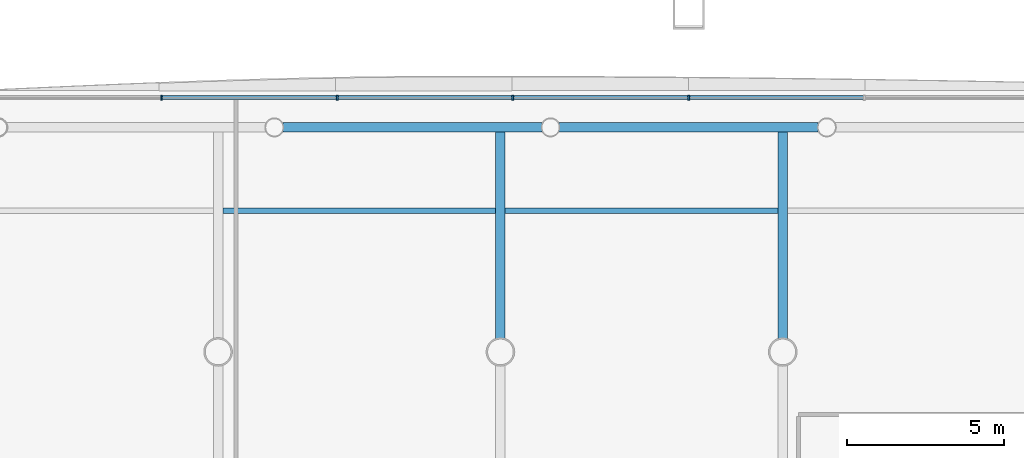
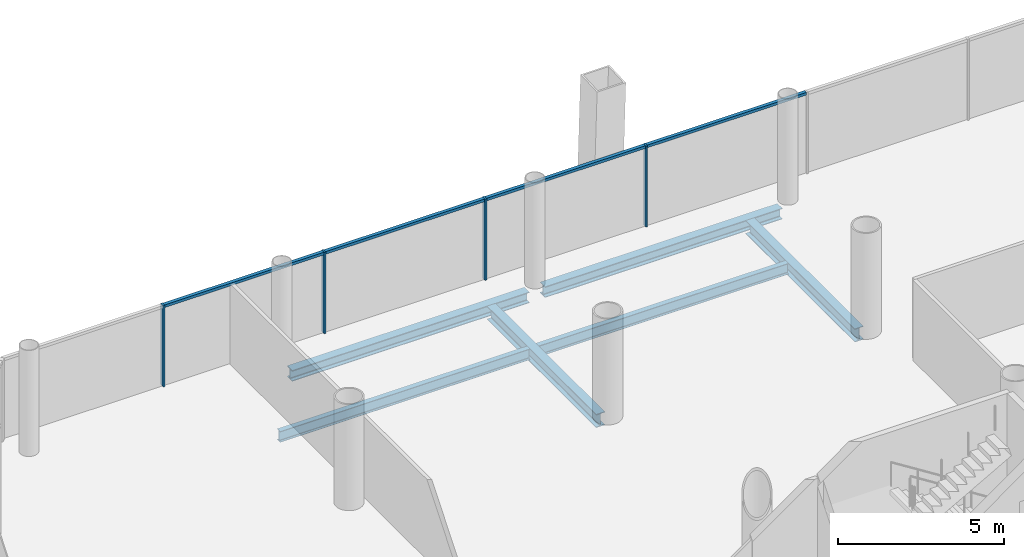
# One storey, part 9 of 20: 8 members, 6 beams, 1 element without a shape of its own.
"""IFC4 building model written with IfcOpenShell, lengths in metres."""

from ifc_helpers import new_model, si_unit, direction, frame, origin, origin_2d, place, context, subcontext, project, spatial, rectangle, i_section, extrude, material, material_profile, profile_set, type_object, element, aggregate, save


model = new_model("IFC4")

# Units and contexts
model_context = context("Model", 3, precision=1e-05, world=origin(), true_north=direction((0.0, 1.0)))
body_context = subcontext(model_context, "Body", "Model", "MODEL_VIEW")
ifc_project = project(units=[si_unit("LENGTHUNIT", "METRE"), si_unit("AREAUNIT", "SQUARE_METRE"), si_unit("VOLUMEUNIT", "CUBIC_METRE"), si_unit("PLANEANGLEUNIT", "RADIAN"), si_unit("MASSUNIT", "GRAM", prefix="KILO")], contexts=[model_context])

# Site, building, storey
site_placement = place(None, origin())
site = spatial("IfcSite", under=ifc_project, at=site_placement, CompositionType="ELEMENT")
building_placement = place(site_placement, origin())
building = spatial("IfcBuilding", under=site, at=building_placement, Name="Tskaro Facet Tower", CompositionType="ELEMENT")
storey_placement = place(building_placement, frame((0.0, 0.0, 53.699951171875)))
storey = spatial("IfcBuildingStorey", under=building, at=storey_placement, Name="L12", CompositionType="ELEMENT", Elevation=53.699951171875)

# Curtain wall, members
ifc_material_1 = material(Name="Bronze anodised aluminium 6063-T6", Category="aluminium")
curtain_wall_type = type_object("IfcCurtainWallType", Name="Bronze office curtain wall (FW1)", PredefinedType="NOTDEFINED", material=ifc_material_1)
curtain_wall_placement = place(storey_placement, origin())
curtain_wall = element("IfcCurtainWall", 1, at=curtain_wall_placement, inside=storey, type_object=curtain_wall_type, Name="FW1 north facet L12", PredefinedType="NOTDEFINED")
ifc_material_profile_1 = material_profile(ifc_material_1, rectangle(XDim=0.06005859375, YDim=0.159912109375, at=origin_2d()), Name="Mullion 60x160")
ifc_profile_set_1 = profile_set([ifc_material_profile_1], Name="Bronze anodised aluminium 6063-T6")
member_type_1 = type_object("IfcMemberType", Name="FW1 bronze mullion 60x160", PredefinedType="MULLION", material=ifc_profile_set_1)
member_1_placement = place(storey_placement, frame((-3.0, 26.10693359375, 0.0), z_axis=(0.0, 0.0, 1.0), x_axis=(-1.0, 0.0, 0.0)))
member_1 = element("IfcMember", 2, at=member_1_placement, type_object=member_type_1, Name="FW1 north mullion 4", PredefinedType="MULLION", context=body_context, shape_type="SweptSolid", body=[
    extrude(rectangle(XDim=0.06005859375, YDim=0.159912109375, at=origin_2d()), origin(), (0.0, 0.0, 1.0), 2.989990234375),
])
member_2_placement = place(storey_placement, frame((-8.601318359375, 26.10693359375, 0.0), z_axis=(0.0, 0.0, 1.0), x_axis=(-1.0, 0.0, 0.0)))
member_2 = element("IfcMember", 3, at=member_2_placement, type_object=member_type_1, Name="FW1 north mullion 5", PredefinedType="MULLION", context=body_context, shape_type="SweptSolid", body=[
    extrude(rectangle(XDim=0.06005859375, YDim=0.159912109375, at=origin_2d()), origin(), (0.0, 0.0, 1.0), 2.989990234375),
])
member_3_placement = place(storey_placement, frame((-14.202392578125, 26.10693359375, 0.0), z_axis=(0.0, 0.0, 1.0), x_axis=(-1.0, 0.0, 0.0)))
member_3 = element("IfcMember", 4, at=member_3_placement, type_object=member_type_1, Name="FW1 north mullion 6", PredefinedType="MULLION", context=body_context, shape_type="SweptSolid", body=[
    extrude(rectangle(XDim=0.06005859375, YDim=0.159912109375, at=origin_2d()), origin(), (0.0, 0.0, 1.0), 2.989990234375),
])
member_4_placement = place(storey_placement, frame((-19.8037109375, 26.10693359375, 0.0), z_axis=(0.0, 0.0, 1.0), x_axis=(-1.0, 0.0, 0.0)))
member_4 = element("IfcMember", 5, at=member_4_placement, type_object=member_type_1, Name="FW1 north mullion 7", PredefinedType="MULLION", context=body_context, shape_type="SweptSolid", body=[
    extrude(rectangle(XDim=0.06005859375, YDim=0.159912109375, at=origin_2d()), origin(), (0.0, 0.0, 1.0), 2.989990234375),
])
ifc_material_profile_2 = material_profile(ifc_material_1, rectangle(XDim=0.1201171875, YDim=0.10009765625, at=origin_2d()), Name="Transom 120x100")
ifc_profile_set_2 = profile_set([ifc_material_profile_2], Name="Bronze anodised aluminium 6063-T6")
member_type_2 = type_object("IfcMemberType", Name="FW1 bronze transom 120x100", PredefinedType="USERDEFINED", material=ifc_profile_set_2)
member_5_placement = place(storey_placement, frame((2.5712890625, 26.10693359375, 2.93994140625), z_axis=(-1.0, 0.0, 0.0), x_axis=(0.0, -1.0, 0.0)))
member_5 = element("IfcMember", 6, at=member_5_placement, type_object=member_type_2, Name="FW1 north transom 4.1", ObjectType="TRANSOM", PredefinedType="USERDEFINED", context=body_context, shape_type="SweptSolid", body=[
    extrude(rectangle(XDim=0.1201171875, YDim=0.10009765625, at=origin_2d()), origin(), (0.0, 0.0, 1.0), 5.541259765625),
])
member_6_placement = place(storey_placement, frame((-3.030029296875, 26.10693359375, 2.93994140625), z_axis=(-1.0, 0.0, 0.0), x_axis=(0.0, -1.0, 0.0)))
member_6 = element("IfcMember", 7, at=member_6_placement, type_object=member_type_2, Name="FW1 north transom 5.1", ObjectType="TRANSOM", PredefinedType="USERDEFINED", context=body_context, shape_type="SweptSolid", body=[
    extrude(rectangle(XDim=0.1201171875, YDim=0.10009765625, at=origin_2d()), origin(), (0.0, 0.0, 1.0), 5.541259765625),
])
member_7_placement = place(storey_placement, frame((-8.63134765625, 26.10693359375, 2.93994140625), z_axis=(-1.0, 0.0, 0.0), x_axis=(0.0, -1.0, 0.0)))
member_7 = element("IfcMember", 8, at=member_7_placement, type_object=member_type_2, Name="FW1 north transom 6.1", ObjectType="TRANSOM", PredefinedType="USERDEFINED", context=body_context, shape_type="SweptSolid", body=[
    extrude(rectangle(XDim=0.1201171875, YDim=0.10009765625, at=origin_2d()), origin(), (0.0, 0.0, 1.0), 5.541259765625),
])
member_8_placement = place(storey_placement, frame((-14.232421875, 26.10693359375, 2.93994140625), z_axis=(-1.0, 0.0, 0.0), x_axis=(0.0, -1.0, 0.0)))
member_8 = element("IfcMember", 9, at=member_8_placement, type_object=member_type_2, Name="FW1 north transom 7.1", ObjectType="TRANSOM", PredefinedType="USERDEFINED", context=body_context, shape_type="SweptSolid", body=[
    extrude(rectangle(XDim=0.1201171875, YDim=0.10009765625, at=origin_2d()), origin(), (0.0, 0.0, 1.0), 5.541259765625),
])
aggregate(curtain_wall, [member_1, member_2, member_3, member_4, member_5, member_6, member_7, member_8])

# Beams
ifc_material_2 = material(Name="Steel S355J2", Category="steel")
ifc_material_profile_3 = material_profile(ifc_material_2, i_section(OverallWidth=0.300048828125, OverallDepth=0.39990234375, WebThickness=0.013427734375, FlangeThickness=0.02392578125, FilletRadius=0.027099609375, at=origin_2d()), Name="HE 400 B")
ifc_profile_set_3 = profile_set([ifc_material_profile_3], Name="Steel S355J2")
beam_type_1 = type_object("IfcBeamType", Name="HE 400 B ring beam", PredefinedType="BEAM", material=ifc_profile_set_3)
beam_1_placement = place(storey_placement, frame((1.126953125, 25.156982421875, -0.33984375), z_axis=(-1.0, 0.0, 0.0), x_axis=(0.0, -1.0, 0.0)))
element("IfcBeam", 10, at=beam_1_placement, inside=storey, type_object=beam_type_1, Name="HE 400 B EB16-1", PredefinedType="BEAM", context=body_context, shape_type="SweptSolid", body=[
    extrude(i_section(OverallWidth=0.300048828125, OverallDepth=0.39990234375, WebThickness=0.013427734375, FlangeThickness=0.02392578125, FilletRadius=0.027099609375, at=origin_2d()), origin(), (0.0, 0.0, 1.0), 8.25390625),
])
beam_2_placement = place(storey_placement, frame((-7.677001953125, 25.156982421875, -0.33984375), z_axis=(-1.0, 0.0, 0.0), x_axis=(0.0, -1.0, 0.0)))
element("IfcBeam", 11, at=beam_2_placement, inside=storey, type_object=beam_type_1, Name="HE 400 B EB17-1", PredefinedType="BEAM", context=body_context, shape_type="SweptSolid", body=[
    extrude(i_section(OverallWidth=0.300048828125, OverallDepth=0.39990234375, WebThickness=0.013427734375, FlangeThickness=0.02392578125, FilletRadius=0.027099609375, at=origin_2d()), origin(), (0.0, 0.0, 1.0), 8.2548828125),
])
ifc_material_profile_4 = material_profile(ifc_material_2, i_section(OverallWidth=0.300048828125, OverallDepth=0.489990234375, WebThickness=0.011962890625, FlangeThickness=0.02294921875, FilletRadius=0.027099609375, at=origin_2d()), Name="HE 500 A")
ifc_profile_set_4 = profile_set([ifc_material_profile_4], Name="Steel S355J2")
beam_type_2 = type_object("IfcBeamType", Name="HE 500 A girder", PredefinedType="BEAM", material=ifc_profile_set_4)
for number, where, z_axis, x_axis, name in (
    (12, (-9.0, 18.42724609375, -0.385009765625), (0.0, 1.0, 0.0), (-1.0, 0.0, 0.0), "HE 500 A GB3-5-1"),
    (13, (0.0, 18.42724609375, -0.385009765625), (0.0, 1.0, 0.0), (-1.0, 0.0, 0.0), "HE 500 A GB4-5-1"),
):
    element("IfcBeam", number, at=place(storey_placement, frame(where, z_axis=z_axis, x_axis=x_axis)), inside=storey, type_object=beam_type_2, Name=name, PredefinedType="BEAM", context=body_context, shape_type="SweptSolid", body=[
        extrude(i_section(OverallWidth=0.300048828125, OverallDepth=0.489990234375, WebThickness=0.011962890625, FlangeThickness=0.02294921875, FilletRadius=0.027099609375, at=origin_2d()), origin(), (0.0, 0.0, 1.0), 6.579833984375),
    ])
ifc_material_profile_5 = material_profile(ifc_material_2, i_section(OverallWidth=0.179931640625, OverallDepth=0.39990234375, WebThickness=0.008544921875, FlangeThickness=0.013427734375, FilletRadius=0.02099609375, at=origin_2d()), Name="IPE 400")
ifc_profile_set_5 = profile_set([ifc_material_profile_5], Name="Steel S355J2")
beam_type_3 = type_object("IfcBeamType", Name="IPE 400 secondary beam", PredefinedType="BEAM", material=ifc_profile_set_5)
for number, where, z_axis, x_axis, name in (
    (14, (-17.85009765625, 22.5, -0.33984375), (1.0, 0.0, 0.0), (0.0, 1.0, 0.0), "IPE 400 SB6a-2-1"),
    (15, (-8.85009765625, 22.5, -0.33984375), (1.0, 0.0, 0.0), (0.0, 1.0, 0.0), "IPE 400 SB6a-3-1"),
):
    element("IfcBeam", number, at=place(storey_placement, frame(where, z_axis=z_axis, x_axis=x_axis)), inside=storey, type_object=beam_type_3, Name=name, PredefinedType="BEAM", context=body_context, shape_type="SweptSolid", body=[
        extrude(i_section(OverallWidth=0.179931640625, OverallDepth=0.39990234375, WebThickness=0.008544921875, FlangeThickness=0.013427734375, FilletRadius=0.02099609375, at=origin_2d()), origin(), (0.0, 0.0, 1.0), 8.7001953125),
    ])

save(model, "model.ifc")
